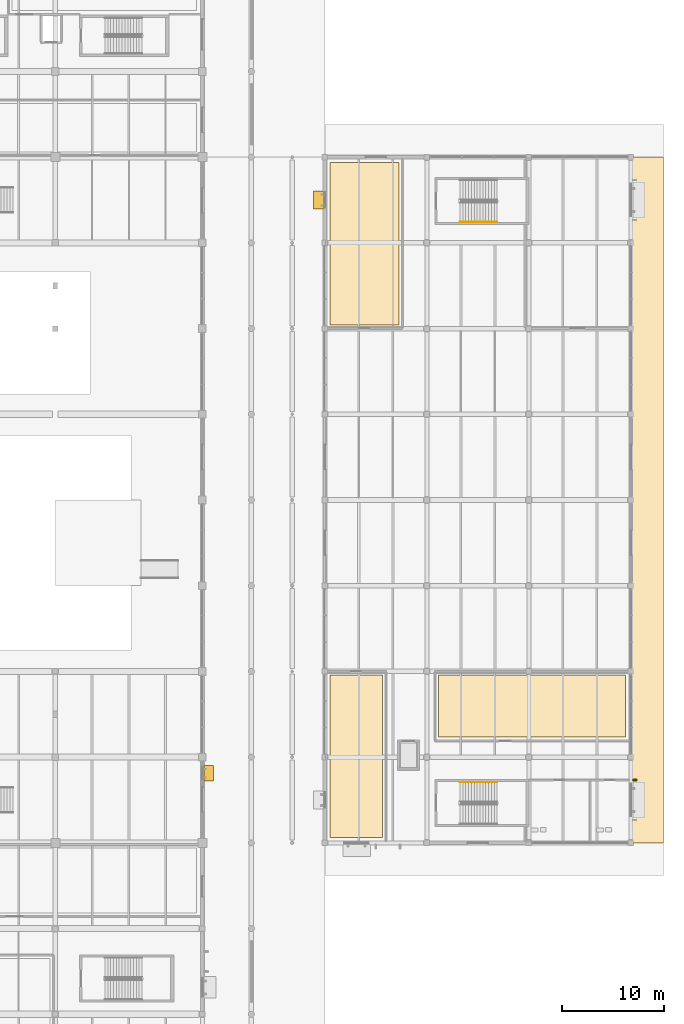
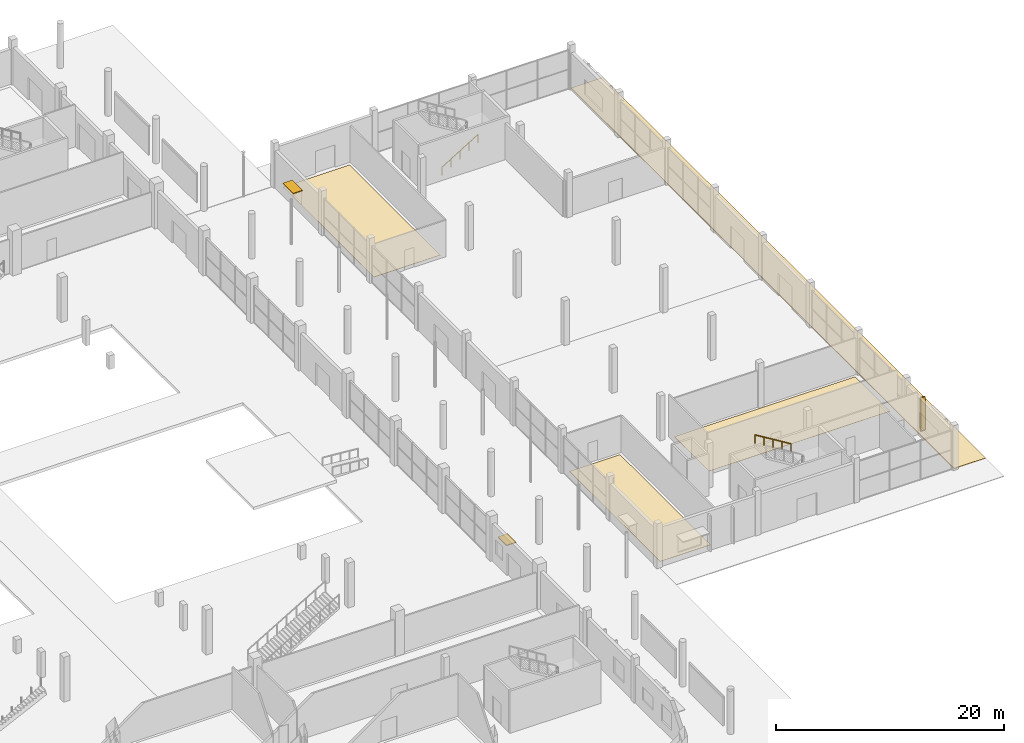
# One storey, part 126 of 130: 4 coverings, 3 shading devices, 2 railings.
"""IFC4 building model written with IfcOpenShell, lengths in metres."""

from ifc_helpers import new_model, si_unit, direction, frame, origin, origin_2d, place, context, subcontext, project, spatial, polyline, rectangle, circle, outline, extrude, material, layer, layer_set, type_object, element, save


model = new_model("IFC4")

# Units and contexts
model_context = context("Model", 3, precision=1e-05, world=origin(), true_north=direction((0.0, 1.0)))
body_context = subcontext(model_context, "Body", "Model", "MODEL_VIEW")
ifc_project = project(units=[si_unit("LENGTHUNIT", "METRE"), si_unit("AREAUNIT", "SQUARE_METRE"), si_unit("VOLUMEUNIT", "CUBIC_METRE"), si_unit("PLANEANGLEUNIT", "RADIAN"), si_unit("MASSUNIT", "GRAM", prefix="KILO"), si_unit("THERMODYNAMICTEMPERATUREUNIT", "KELVIN")], contexts=[model_context])

# Site, building, storey
site_placement = place(None, origin())
site = spatial("IfcSite", under=ifc_project, at=site_placement, CompositionType="ELEMENT")
building_placement = place(site_placement, origin())
building = spatial("IfcBuilding", under=site, at=building_placement, Name="Nduvali Passage Aquatics Centre", CompositionType="ELEMENT")
storey_placement = place(building_placement, origin())
storey = spatial("IfcBuildingStorey", under=building, at=storey_placement, Name="L00", CompositionType="ELEMENT", Elevation=0.0)

# Shading devices
ifc_material_1 = material(Name="Glulam GL28h", Category="wood")
shading_device_type_1 = type_object("IfcShadingDeviceType", Name="ENV-SHD-FIN1", PredefinedType="USERDEFINED", material=ifc_material_1)
shading_device_1_placement = place(storey_placement, frame((168.375, 31.362548828125, 0.2001953125), z_axis=(0.0, 0.0, 1.0), x_axis=(0.0, 1.0, 0.0)))
element("IfcShadingDevice", 1, at=shading_device_1_placement, inside=storey, type_object=shading_device_type_1, Name="L00 Vertical Glulam Facade Fin 0131", ObjectType="VERTICAL FIN", PredefinedType="USERDEFINED", context=body_context, shape_type="SweptSolid", body=[
    extrude(rectangle(XDim=0.1201171875, YDim=0.43994140625, at=origin_2d()), origin(), (0.0, 0.0, 1.0), 3.576416015625),
])
ifc_material_2 = material(Name="Aluminium EN AW-6063 T6", Category="aluminium")
ifc_layer_1 = layer(ifc_material_2, 0.080078125, Name="Aluminium EN AW-6063 T6")
ifc_layer_set_1 = layer_set([ifc_layer_1], Name="Aluminium EN AW-6063 T6")
shading_device_type_2 = type_object("IfcShadingDeviceType", Name="ENV-SHD-SUN2", PredefinedType="AWNING", material=ifc_layer_set_1)
shading_device_2_placement = place(storey_placement, frame((126.625, 32.012939453125, 2.659912109375), z_axis=(0.0, 0.0, 1.0), x_axis=(0.0, 1.0, 0.0)))
element("IfcShadingDevice", 2, at=shading_device_2_placement, inside=storey, type_object=shading_device_type_2, Name="L00 Horizontal Monsoon Sunshade 0090", PredefinedType="AWNING", context=body_context, shape_type="SweptSolid", body=[
    extrude(rectangle(XDim=1.5, YDim=0.949951171875, at=origin_2d()), origin(), (0.0, 0.0, 1.0), 0.080078125),
])
shading_device_3_placement = place(storey_placement, frame((137.375, 88.199951171875, 2.60986328125), z_axis=(0.0, 0.0, 1.0), x_axis=(0.0, -1.0, 0.0)))
element("IfcShadingDevice", 3, at=shading_device_3_placement, inside=storey, type_object=shading_device_type_2, Name="L00 Horizontal Monsoon Sunshade 0132", PredefinedType="AWNING", context=body_context, shape_type="SweptSolid", body=[
    extrude(rectangle(XDim=1.800048828125, YDim=0.949951171875, at=origin_2d()), origin(), (0.0, 0.0, 1.0), 0.080078125),
])

# Coverings
ifc_material_3 = material(Name="Polished coral-aggregate terrazzo")
ifc_layer_2 = layer(ifc_material_3, 0.030029296875, Name="Polished coral-aggregate terrazzo")
ifc_layer_set_2 = layer_set([ifc_layer_2], Name="Polished coral-aggregate terrazzo")
covering_type_1 = type_object("IfcCoveringType", Name="INT-COV-TERRAZZO", PredefinedType="FLOORING", material=ifc_layer_set_2)
covering_1_placement = place(storey_placement, origin())
element("IfcCovering", 4, at=covering_1_placement, inside=storey, type_object=covering_type_1, Name="L00 Aquatic Sportswear and Gear Shop Floor Finish", PredefinedType="FLOORING", context=body_context, shape_type="SweptSolid", body=[
    extrude(outline(polyline([(138.530029296875, 25.72998046875), (143.64990234375, 25.72998046875), (143.64990234375, 41.64990234375), (138.530029296875, 41.64990234375), (138.530029296875, 25.72998046875)])), origin(), (0.0, 0.0, 1.0), 0.030029296875),
])
covering_2_placement = place(storey_placement, origin())
element("IfcCovering", 5, at=covering_2_placement, inside=storey, type_object=covering_type_1, Name="L00 Ticketing and Accreditation Counter Office Floor Finish", PredefinedType="FLOORING", context=body_context, shape_type="SweptSolid", body=[
    extrude(outline(polyline([(149.14990234375, 35.550048828125), (167.469970703125, 35.550048828125), (167.469970703125, 41.64990234375), (149.14990234375, 41.64990234375), (149.14990234375, 35.550048828125)])), origin(), (0.0, 0.0, 1.0), 0.030029296875),
])
covering_3_placement = place(storey_placement, origin())
element("IfcCovering", 6, at=covering_3_placement, inside=storey, type_object=covering_type_1, Name="L00 Monsoon Courtyard and Passage Cafe Floor Finish", PredefinedType="FLOORING", context=body_context, shape_type="SweptSolid", body=[
    extrude(outline(polyline([(138.530029296875, 75.949951171875), (145.25, 75.949951171875), (145.25, 91.8701171875), (138.530029296875, 91.8701171875), (138.530029296875, 75.949951171875)])), origin(), (0.0, 0.0, 1.0), 0.030029296875),
])

# Railings
ifc_material_4 = material(Name="Stainless steel balustrade", Category="steel")
railing_type = type_object("IfcRailingType", Name="INT-RLG-HND90", PredefinedType="HANDRAIL", material=ifc_material_4)
railing_1_placement = place(storey_placement, frame((154.889892578125, 31.139892578125, 2.746337890625)))
element("IfcRailing", 7, at=railing_1_placement, inside=storey, type_object=railing_type, Name="L00 ST7 stair handrail 2", PredefinedType="HANDRAIL", context=body_context, shape_type="SweptSolid", body=[
    extrude(circle(Radius=0.02392578125, at=origin_2d()), frame((0.0, 0.0, 0.8759765625), z_axis=(-0.852850264322, 0.0, 0.5221555579), x_axis=(0.0, -1.0, 0.0)), (0.0, 0.0, 1.0), 4.267822265625),
    extrude(circle(Radius=0.02099609375, at=origin_2d()), origin(), (0.0, 0.0, 1.0), 0.851806640625),
    extrude(circle(Radius=0.02099609375, at=origin_2d()), frame((-0.909912109375, 0.0, 0.55712890625)), (0.0, 0.0, 1.0), 0.851806640625),
    extrude(circle(Radius=0.02099609375, at=origin_2d()), frame((-1.81982421875, 0.0, 1.1142578125)), (0.0, 0.0, 1.0), 0.851806640625),
    extrude(circle(Radius=0.02099609375, at=origin_2d()), frame((-2.72998046875, 0.0, 1.67138671875)), (0.0, 0.0, 1.0), 0.851806640625),
    extrude(circle(Radius=0.02099609375, at=origin_2d()), frame((-3.639892578125, 0.0, 2.228515625)), (0.0, 0.0, 1.0), 0.851806640625),
])
railing_2_placement = place(storey_placement, frame((151.25, 86.050048828125, 0.346435546875)))
element("IfcRailing", 8, at=railing_2_placement, inside=storey, type_object=railing_type, Name="L00 ST8 stair handrail 1", PredefinedType="HANDRAIL", context=body_context, shape_type="SweptSolid", body=[
    extrude(circle(Radius=0.02392578125, at=origin_2d()), frame((0.0, 0.0, 0.8759765625), z_axis=(0.852850264322, 0.0, 0.5221555579), x_axis=(0.0, 1.0, 0.0)), (0.0, 0.0, 1.0), 4.267822265625),
    extrude(circle(Radius=0.02099609375, at=origin_2d()), origin(), (0.0, 0.0, 1.0), 0.851806640625),
    extrude(circle(Radius=0.02099609375, at=origin_2d()), frame((0.909912109375, 0.0, 0.55712890625)), (0.0, 0.0, 1.0), 0.851806640625),
    extrude(circle(Radius=0.02099609375, at=origin_2d()), frame((1.81982421875, 0.0, 1.1142578125)), (0.0, 0.0, 1.0), 0.851806640625),
    extrude(circle(Radius=0.02099609375, at=origin_2d()), frame((2.72998046875, 0.0, 1.67138671875)), (0.0, 0.0, 1.0), 0.851806640625),
    extrude(circle(Radius=0.02099609375, at=origin_2d()), frame((3.639892578125, 0.0, 2.228515625)), (0.0, 0.0, 1.0), 0.851806640625),
])

# Covering
ifc_material_5 = material(Name="Coral-stone masonry blockwork", Category="masonry")
ifc_layer_3 = layer(ifc_material_5, 0.080078125, Name="Coral-stone masonry blockwork")
ifc_layer_set_3 = layer_set([ifc_layer_3], Name="Coral-stone masonry blockwork")
covering_type_2 = type_object("IfcCoveringType", Name="STR-COV-PAV80", PredefinedType="USERDEFINED", material=ifc_layer_set_3)
covering_4_placement = place(storey_placement, frame((0.0, 0.0, -0.080078125)))
element("IfcCovering", 9, at=covering_4_placement, inside=storey, type_object=covering_type_2, Name="L00 East Avenue Entrance Plaza Paving", ObjectType="PAVING", PredefinedType="USERDEFINED", context=body_context, shape_type="SweptSolid", body=[
    extrude(outline(polyline([(168.0, 25.199951171875), (171.199951171875, 25.199951171875), (171.199951171875, 92.39990234375), (168.0, 92.39990234375), (168.0, 25.199951171875)])), origin(), (0.0, 0.0, 1.0), 0.080078125),
])

save(model, "model.ifc")
